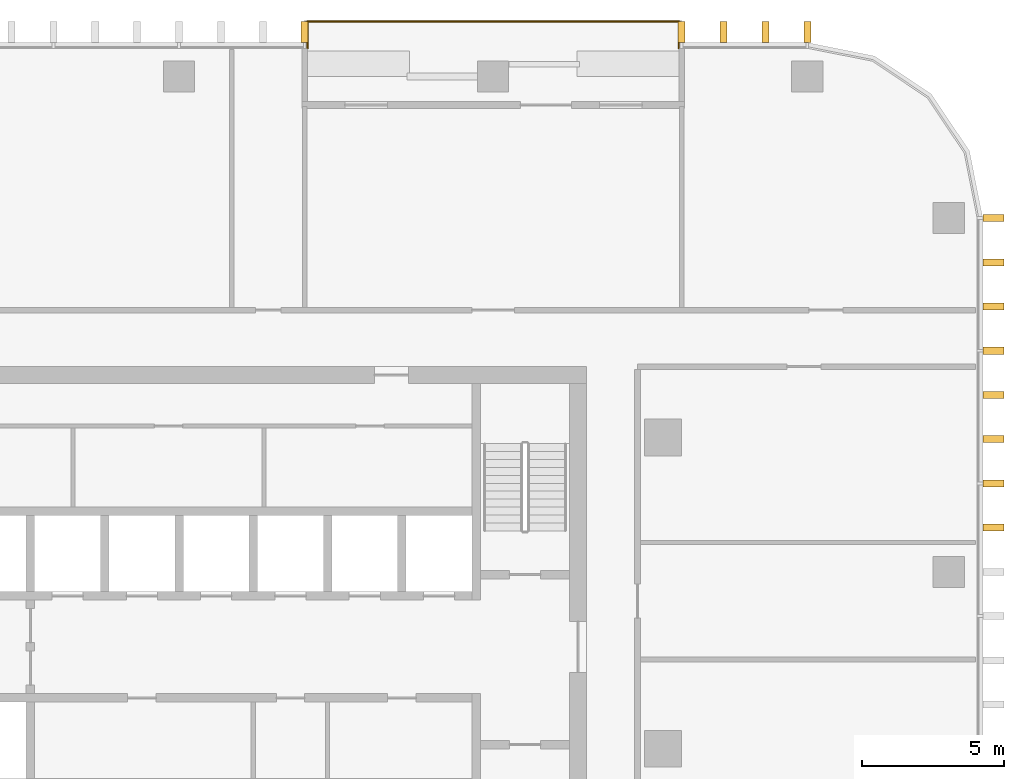
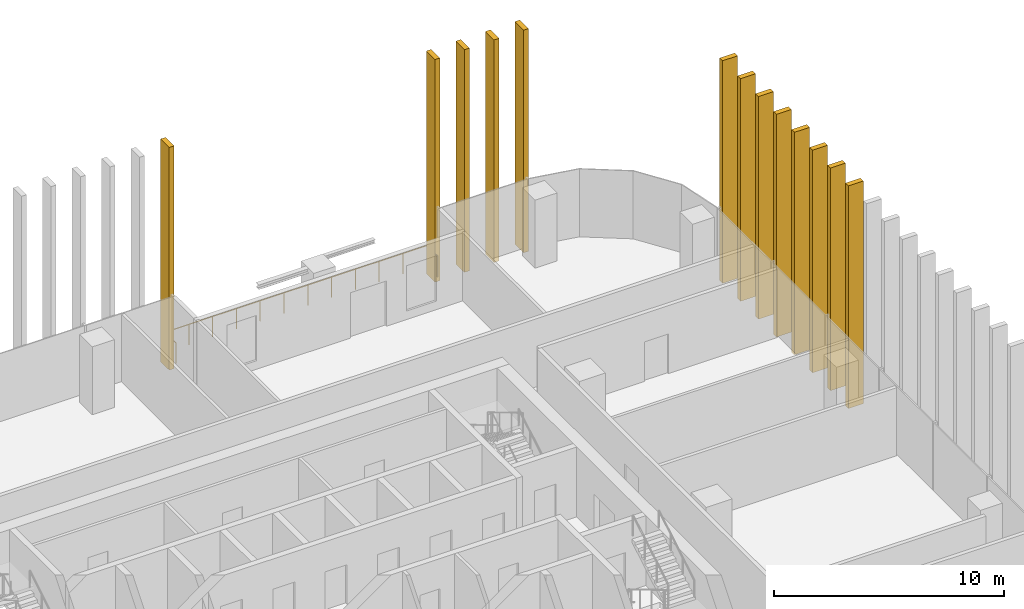
# One storey, part 16 of 16: 13 shading devices, 1 railing.
"""IFC4 building model written with IfcOpenShell, lengths in metres."""

import ifcopenshell
import ifcopenshell.guid

model = None  # the IFC model being written
_history = None  # IfcOwnerHistory: only IFC2X3 demands one
_inside = {}  # id of a spatial element -> (the spatial element, [elements in it])
_under = {}  # id of a project, library or spatial element -> (it, [spatial elements below it])
_declared = {}  # id of a project -> (the project, [libraries it declares])
_typed = {}  # id of a type object -> (the type object, [elements of that type])
_made_of = {}  # id of a material, layer set ... -> (it, [elements and type objects made of it])


def new_model(schema):
    """Start an empty IFC model of exactly this schema.

    Asked for "IFC4X3", IfcOpenShell would pick the latest addendum, in which some entities
    have other attributes; the version numbers below select the first issue.
    IFC2X3 requires an IfcOwnerHistory on every rooted entity: one is made here for all.
    """
    global model, _history
    if schema == "IFC4X3":
        model = ifcopenshell.file(schema_version=(4, 3, 0, 0))
    else:
        model = ifcopenshell.file(schema=schema)
    _inside.clear()
    _under.clear()
    _declared.clear()
    _typed.clear()
    _made_of.clear()
    _history = None
    if model.schema == "IFC2X3":
        org = make("IfcOrganization", Name="unknown")
        user = make(
            "IfcPersonAndOrganization",
            ThePerson=make("IfcPerson", FamilyName="unknown"),
            TheOrganization=org,
        )
        app = make(
            "IfcApplication",
            ApplicationDeveloper=org,
            Version="unknown",
            ApplicationFullName="unknown",
            ApplicationIdentifier="unknown",
        )
        _history = make(
            "IfcOwnerHistory",
            OwningUser=user,
            OwningApplication=app,
            ChangeAction="ADDED",
            CreationDate=0,
        )
    return model


def make(cls, **values):
    """One entity of the class cls with the attributes given. An attribute that is None is left unset."""
    return model.create_entity(
        cls, **{name: value for name, value in values.items() if value is not None}
    )


def rooted(cls, **values):
    """An entity with a GlobalId (a new one), such as an element, a storey or a relation."""
    return make(cls, GlobalId=ifcopenshell.guid.new(), OwnerHistory=_history, **values)


def si_unit(unit_type, name, prefix=None):
    """IfcSIUnit, for example si_unit("LENGTHUNIT", "METRE", prefix="MILLI")."""
    return make("IfcSIUnit", UnitType=unit_type, Prefix=prefix, Name=name)


def assignment(units):
    """IfcUnitAssignment: the units of a project."""
    return None if units is None else make("IfcUnitAssignment", Units=units)


def point(xyz):
    """IfcCartesianPoint."""
    return None if xyz is None else make("IfcCartesianPoint", Coordinates=xyz)


def direction(xyz):
    """IfcDirection."""
    return None if xyz is None else make("IfcDirection", DirectionRatios=xyz)


def frame(location, z_axis=None, x_axis=None):
    """IfcAxis2Placement3D, a coordinate frame: its origin and axes. An axis left out is left unset."""
    return make(
        "IfcAxis2Placement3D",
        Location=point(location),
        Axis=direction(z_axis),
        RefDirection=direction(x_axis),
    )


def frame_2d(location, x_axis=None):
    """IfcAxis2Placement2D, a coordinate frame in the plane: its origin and x axis."""
    return make(
        "IfcAxis2Placement2D", Location=point(location), RefDirection=direction(x_axis)
    )


def origin():
    """The frame at (0, 0, 0) with its axes left unset."""
    return frame((0.0, 0.0, 0.0))


def origin_2d():
    """The frame at (0, 0) in the plane with its x axis left unset."""
    return frame_2d((0.0, 0.0))


def place(relative_to, where):
    """IfcLocalPlacement: puts the frame where relative to a parent placement (None: the world)."""
    return make(
        "IfcLocalPlacement", PlacementRelTo=relative_to, RelativePlacement=where
    )


def context(
    kind, dimensions, precision=None, world=None, true_north=None, identifier=None
):
    """IfcGeometricRepresentationContext, for example the 3D "Model" context."""
    return make(
        "IfcGeometricRepresentationContext",
        ContextIdentifier=identifier,
        ContextType=kind,
        CoordinateSpaceDimension=dimensions,
        Precision=precision,
        WorldCoordinateSystem=world,
        TrueNorth=true_north,
    )


def subcontext(parent, identifier, kind, view, scale=None):
    """IfcGeometricRepresentationSubContext, for example "Body" below "Model"."""
    return make(
        "IfcGeometricRepresentationSubContext",
        ContextIdentifier=identifier,
        ContextType=kind,
        ParentContext=parent,
        TargetScale=scale,
        TargetView=view,
    )


def project(units=None, contexts=None):
    """IfcProject with its units and contexts."""
    return rooted(
        "IfcProject",
        Name="project",
        RepresentationContexts=contexts,
        UnitsInContext=assignment(units),
    )


def spatial(cls, under=None, at=None, **own):
    """A site, building, storey or space (cls), placed at a placement, below another one or the project."""
    s = rooted(cls, ObjectPlacement=at, **own)
    if under is not None:
        _under.setdefault(under.id(), (under, []))[1].append(s)
    return s


def profile(cls, at=None, kind="AREA", **sizes):
    """A parametric profile (cls). Its sizes go by their IFC names, for example OverallWidth=200.0."""
    return make(cls, ProfileType=kind, Position=at, **sizes)


def rectangle(**sizes):
    """IfcRectangleProfileDef."""
    return profile("IfcRectangleProfileDef", **sizes)


def circle(**sizes):
    """IfcCircleProfileDef."""
    return profile("IfcCircleProfileDef", **sizes)


def extrude(swept, where, along, depth):
    """IfcExtrudedAreaSolid: the profile swept, set in the frame where, extruded along a direction by depth."""
    return make(
        "IfcExtrudedAreaSolid",
        SweptArea=swept,
        Position=where,
        ExtrudedDirection=direction(along),
        Depth=depth,
    )


def shape(context_of_items, identifier, shape_type, items):
    """IfcShapeRepresentation: the items that make up one representation, for example the "Body"."""
    return make(
        "IfcShapeRepresentation",
        ContextOfItems=context_of_items,
        RepresentationIdentifier=identifier,
        RepresentationType=shape_type,
        Items=items,
    )


def material(Name=None, Category=None):
    """IfcMaterial."""
    return make("IfcMaterial", Name=Name, Category=Category)


def made_of(thing, what):
    """Note that an element or type object is made of a material, layer set ...; save() writes the relation."""
    if what is not None:
        _made_of.setdefault(what.id(), (what, []))[1].append(thing)
    return thing


def type_object(cls, material=None, **own):
    """A type object (cls), such as IfcWallType, which elements share."""
    return made_of(rooted(cls, **own), material)


def element(
    cls,
    number,
    at=None,
    inside=None,
    cuts=None,
    type_object=None,
    material=None,
    context=None,
    identifier="Body",
    shape_type=None,
    held_by="IfcProductDefinitionShape",
    body=None,
    shapes=None,
    **own,
):
    """One element of the class cls, such as IfcWall. Its Tag is "e" and its number.

    at: its placement. inside: the storey or other place that contains it. cuts: it is an
    opening in that element (IfcRelVoidsElement). A single representation is given by context,
    identifier, shape_type and body (its items); several are given by shapes. held_by: the class
    of the entity that holds the representations. save() writes the other relations.
    """
    e = rooted(cls, Tag="e%d" % number, ObjectPlacement=at, **own)
    if body is not None:
        shapes = [shape(context, identifier, shape_type, body)]
    if shapes is not None:
        e.Representation = make(held_by, Representations=shapes)
    if inside is not None:
        _inside.setdefault(inside.id(), (inside, []))[1].append(e)
    if cuts is not None:
        rooted(
            "IfcRelVoidsElement", RelatingBuildingElement=cuts, RelatedOpeningElement=e
        )
    if type_object is not None:
        _typed.setdefault(type_object.id(), (type_object, []))[1].append(e)
    return made_of(e, material)


def aggregate(whole, parts):
    """IfcRelAggregates: a whole, such as a stair, and the parts it consists of."""
    return rooted("IfcRelAggregates", RelatingObject=whole, RelatedObjects=parts)


def save(model, path):
    """Write the relations noted so far, then the file.

    IfcRelAggregates (storeys below a building ...), IfcRelContainedInSpatialStructure (elements
    in a storey), IfcRelDefinesByType, IfcRelAssociatesMaterial and IfcRelDeclares: one each for
    every whole, place, type object, material and project.
    """
    for whole, parts in _under.values():
        aggregate(whole, parts)
    for where, things in _inside.values():
        rooted(
            "IfcRelContainedInSpatialStructure",
            RelatedElements=things,
            RelatingStructure=where,
        )
    for kind, things in _typed.values():
        rooted("IfcRelDefinesByType", RelatedObjects=things, RelatingType=kind)
    for what, things in _made_of.values():
        rooted("IfcRelAssociatesMaterial", RelatedObjects=things, RelatingMaterial=what)
    for by, libraries in _declared.values():
        rooted("IfcRelDeclares", RelatingContext=by, RelatedDefinitions=libraries)
    model.write(path)


model = new_model("IFC4")

# Units and contexts
model_context = context("Model", 3, precision=1e-05, world=origin(), true_north=direction((0.0, 1.0)))
body_context = subcontext(model_context, "Body", "Model", "MODEL_VIEW")
ifc_project = project(units=[si_unit("LENGTHUNIT", "METRE"), si_unit("AREAUNIT", "SQUARE_METRE"), si_unit("VOLUMEUNIT", "CUBIC_METRE"), si_unit("PLANEANGLEUNIT", "RADIAN"), si_unit("MASSUNIT", "GRAM", prefix="KILO")], contexts=[model_context])

# Site, building, storey
site_placement = place(None, origin())
site = spatial("IfcSite", under=ifc_project, at=site_placement, CompositionType="ELEMENT")
building_placement = place(site_placement, origin())
building = spatial("IfcBuilding", under=site, at=building_placement, Name="Mopane Tessera Tower", CompositionType="ELEMENT")
storey_placement = place(building_placement, frame((0.0, 0.0, 247.0)))
storey = spatial("IfcBuildingStorey", under=building, at=storey_placement, Name="L53", CompositionType="ELEMENT", Elevation=247.0)

# Shading devices
ifc_material_1 = material(Name="Glazed ceramic tile")
shading_device_type = type_object("IfcShadingDeviceType", Name="Ceramic tile fin 750 x 250 mm", PredefinedType="USERDEFINED", material=ifc_material_1)
for number, where, z_axis, x_axis, name in (
    (1, (28.77490234375, 7.8125, -0.39990234375), (0.0, 0.0, 1.0), (0.0, 1.0, 0.0), "e:fin:L53:E:5:2"),
    (2, (28.77490234375, 9.375, -0.39990234375), (0.0, 0.0, 1.0), (0.0, 1.0, 0.0), "e:fin:L53:E:6:0"),
    (3, (28.77490234375, 10.9375, -0.39990234375), (0.0, 0.0, 1.0), (0.0, 1.0, 0.0), "e:fin:L53:E:6:1"),
    (4, (28.77490234375, 12.5, -0.39990234375), (0.0, 0.0, 1.0), (0.0, 1.0, 0.0), "e:fin:L53:E:6:2"),
    (5, (28.77490234375, 14.0625, -0.39990234375), (0.0, 0.0, 1.0), (0.0, 1.0, 0.0), "e:fin:L53:E:7:0"),
    (6, (28.77490234375, 15.625, -0.39990234375), (0.0, 0.0, 1.0), (0.0, 1.0, 0.0), "e:fin:L53:E:7:1"),
    (7, (28.77490234375, 17.1875, -0.39990234375), (0.0, 0.0, 1.0), (0.0, 1.0, 0.0), "e:fin:L53:E:7:2"),
    (8, (28.77490234375, 18.75, -0.39990234375), (0.0, 0.0, 1.0), (0.0, 1.0, 0.0), "e:fin:L53:E:7:3"),
    (9, (22.199951171875, 25.324951171875, -0.39990234375), (0.0, 0.0, 1.0), (-1.0, 0.0, 0.0), "e:fin:L53:N:0:0"),
    (10, (20.719970703125, 25.324951171875, -0.39990234375), (0.0, 0.0, 1.0), (-1.0, 0.0, 0.0), "e:fin:L53:N:0:1"),
    (11, (19.239990234375, 25.324951171875, -0.39990234375), (0.0, 0.0, 1.0), (-1.0, 0.0, 0.0), "e:fin:L53:N:0:2"),
    (12, (17.760009765625, 25.324951171875, -0.39990234375), (0.0, 0.0, 1.0), (-1.0, 0.0, 0.0), "e:fin:L53:N:0:3"),
    (13, (4.43994140625, 25.324951171875, -0.39990234375), (0.0, 0.0, 1.0), (-1.0, 0.0, 0.0), "e:fin:L53:N:4:0"),
):
    element("IfcShadingDevice", number, at=place(storey_placement, frame(where, z_axis=z_axis, x_axis=x_axis)), inside=storey, type_object=shading_device_type, Name=name, ObjectType="FIN", PredefinedType="USERDEFINED", context=body_context, shape_type="SweptSolid", body=[
        extrude(rectangle(XDim=0.25, YDim=0.75, at=origin_2d()), origin(), (0.0, 0.0, 1.0), 11.800048828125),
    ])

# Railing
ifc_material_2 = material(Name="Stainless steel S316", Category="steel")
railing_type = type_object("IfcRailingType", Name="Terrace guard 1100", PredefinedType="GUARDRAIL", material=ifc_material_2)
railing_placement = place(storey_placement, frame((17.659912109375, 24.75, 0.0)))
element("IfcRailing", 14, at=railing_placement, inside=storey, type_object=railing_type, Name="e:nw:L53:N2:guard", PredefinedType="GUARDRAIL", context=body_context, shape_type="SweptSolid", body=[
    extrude(circle(Radius=0.02392578125, at=origin_2d()), frame((0.0, 0.0, 1.076171875), z_axis=(0.0, 1.0, 0.0), x_axis=(-1.0, 0.0, 0.0)), (0.0, 0.0, 1.0), 0.949951171875),
    extrude(circle(Radius=0.02392578125, at=origin_2d()), frame((0.0, 0.949951171875, 1.076171875), z_axis=(-1.0, 0.0, 0.0), x_axis=(0.0, -1.0, 0.0)), (0.0, 0.0, 1.0), 13.119873046875),
    extrude(circle(Radius=0.02392578125, at=origin_2d()), frame((-13.119873046875, 0.949951171875, 1.076171875), z_axis=(0.0, -1.0, 0.0), x_axis=(1.0, 0.0, 0.0)), (0.0, 0.0, 1.0), 0.949951171875),
    extrude(circle(Radius=0.02099609375, at=origin_2d()), origin(), (0.0, 0.0, 1.0), 1.052001953125),
    extrude(circle(Radius=0.02099609375, at=origin_2d()), frame((0.0, 0.949951171875, 0.0)), (0.0, 0.0, 1.0), 1.052001953125),
    extrude(circle(Radius=0.02099609375, at=origin_2d()), frame((-1.192626953125, 0.949951171875, 0.0)), (0.0, 0.0, 1.0), 1.052001953125),
    extrude(circle(Radius=0.02099609375, at=origin_2d()), frame((-2.385498046875, 0.949951171875, 0.0)), (0.0, 0.0, 1.0), 1.052001953125),
    extrude(circle(Radius=0.02099609375, at=origin_2d()), frame((-3.578125, 0.949951171875, 0.0)), (0.0, 0.0, 1.0), 1.052001953125),
    extrude(circle(Radius=0.02099609375, at=origin_2d()), frame((-4.770751953125, 0.949951171875, 0.0)), (0.0, 0.0, 1.0), 1.052001953125),
    extrude(circle(Radius=0.02099609375, at=origin_2d()), frame((-5.963623046875, 0.949951171875, 0.0)), (0.0, 0.0, 1.0), 1.052001953125),
    extrude(circle(Radius=0.02099609375, at=origin_2d()), frame((-7.15625, 0.949951171875, 0.0)), (0.0, 0.0, 1.0), 1.052001953125),
    extrude(circle(Radius=0.02099609375, at=origin_2d()), frame((-8.34912109375, 0.949951171875, 0.0)), (0.0, 0.0, 1.0), 1.052001953125),
    extrude(circle(Radius=0.02099609375, at=origin_2d()), frame((-9.541748046875, 0.949951171875, 0.0)), (0.0, 0.0, 1.0), 1.052001953125),
    extrude(circle(Radius=0.02099609375, at=origin_2d()), frame((-10.734375, 0.949951171875, 0.0)), (0.0, 0.0, 1.0), 1.052001953125),
    extrude(circle(Radius=0.02099609375, at=origin_2d()), frame((-11.92724609375, 0.949951171875, 0.0)), (0.0, 0.0, 1.0), 1.052001953125),
    extrude(circle(Radius=0.02099609375, at=origin_2d()), frame((-13.119873046875, 0.949951171875, 0.0)), (0.0, 0.0, 1.0), 1.052001953125),
    extrude(circle(Radius=0.02099609375, at=origin_2d()), frame((-13.119873046875, 0.0, 0.0)), (0.0, 0.0, 1.0), 1.052001953125),
])

save(model, "model.ifc")
